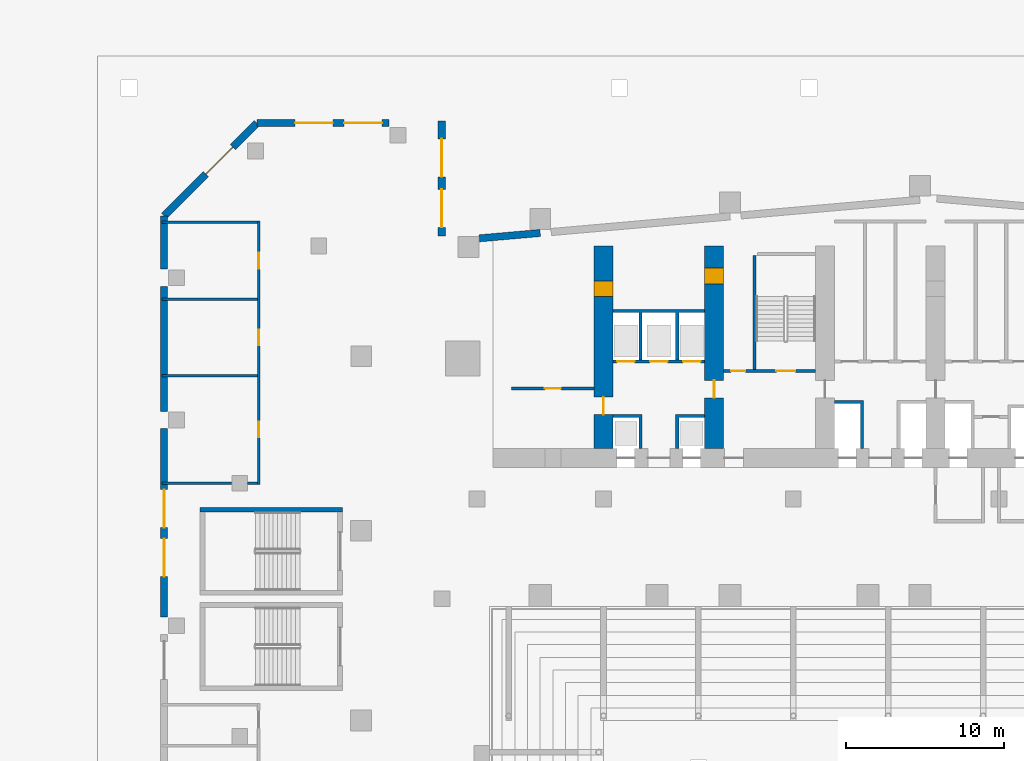
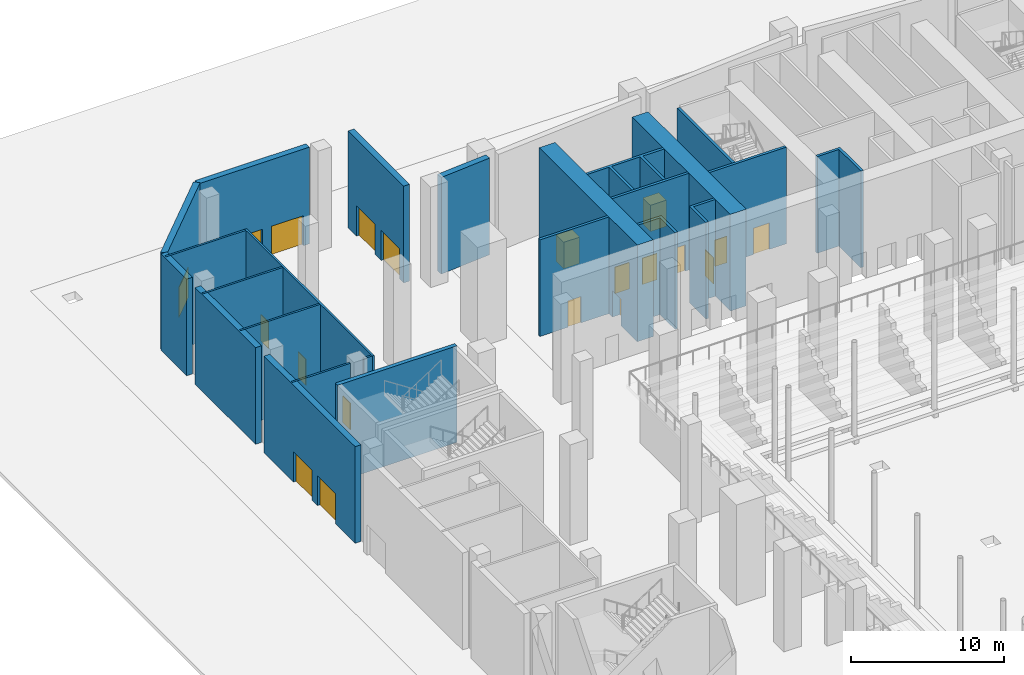
# One storey, part 24 of 41: 24 walls, 20 doors, 20 openings.
"""IFC4 building model written with IfcOpenShell, lengths in metres."""

from ifc_helpers import new_model, si_unit, direction, frame, frame_2d, origin, place, context, subcontext, project, spatial, polyline, rectangle, outline, extrude, material, layer, layer_set, type_object, element, fill, save


model = new_model("IFC4")

# Units and contexts
model_context = context("Model", 3, precision=1e-05, world=origin(), true_north=direction((0.0, 1.0)))
body_context = subcontext(model_context, "Body", "Model", "MODEL_VIEW")
ifc_project = project(units=[si_unit("LENGTHUNIT", "METRE"), si_unit("AREAUNIT", "SQUARE_METRE"), si_unit("VOLUMEUNIT", "CUBIC_METRE"), si_unit("PLANEANGLEUNIT", "RADIAN"), si_unit("MASSUNIT", "GRAM", prefix="KILO")], contexts=[model_context])

# Site, building, storey
site_placement = place(None, origin())
site = spatial("IfcSite", under=ifc_project, at=site_placement, CompositionType="ELEMENT")
building_placement = place(site_placement, origin())
building = spatial("IfcBuilding", under=site, at=building_placement, Name="Wharfspan Tower", CompositionType="ELEMENT")
storey_placement = place(building_placement, origin())
storey = spatial("IfcBuildingStorey", under=building, at=storey_placement, Name="L00", CompositionType="ELEMENT", Elevation=0.0)

# Wall, opening, door
ifc_material_1 = material(Name="Calcium silicate masonry", Category="masonry")
ifc_layer_1 = layer(ifc_material_1, 0.199951)
ifc_layer_set_1 = layer_set([ifc_layer_1], Name="Calcium silicate masonry")
wall_type_1 = type_object("IfcWallType", Name="Core room wall 200", PredefinedType="PARTITIONING", material=ifc_layer_set_1)
wall_1_placement = place(storey_placement, frame((10.199951, 39.0, 0.0), z_axis=(0.0, 0.0, 1.0), x_axis=(1.0, 0.0, 0.0)))
wall_1 = element("IfcWall", 1, at=wall_1_placement, inside=storey, type_object=wall_type_1, Name="sw:L00:RM0", PredefinedType="PARTITIONING", context=body_context, shape_type="SweptSolid", body=[
    extrude(rectangle(XDim=5.199951, YDim=0.199951, at=frame_2d((2.600098, 0.0))), origin(), (0.0, 0.0, 1.0), 7.699951),
])
opening_1_placement = place(wall_1_placement, frame((2.100098, 0.0, 0.0)))
opening_1 = element("IfcOpeningElement", 2, at=opening_1_placement, cuts=wall_1, Name="Opening CD00.02", PredefinedType="OPENING", context=body_context, shape_type="SweptSolid", body=[
    extrude(rectangle(XDim=1.0, YDim=2.100098, at=frame_2d((0.5, 1.050049))), frame((0.0, 0.109863, 0.0), z_axis=(0.0, -1.0, 0.0), x_axis=(1.0, 0.0, 0.0)), (0.0, 0.0, 1.0), 0.219971),
])
ifc_material_2 = material(Name="Steel door leaf", Category="steel")
door_type_1 = type_object("IfcDoorType", Name="Core room door 1000x2100", OperationType="SINGLE_SWING_LEFT", PredefinedType="DOOR", material=ifc_material_2)
door_1_placement = place(opening_1_placement, origin())
door_1 = element("IfcDoor", 3, at=door_1_placement, inside=storey, type_object=door_type_1, Name="d:L00:0:rr", OperationType="SINGLE_SWING_RIGHT", OverallHeight=2.100098, OverallWidth=1.0, PredefinedType="DOOR", context=body_context, shape_type="SweptSolid", body=[
    extrude(rectangle(XDim=1.0, YDim=2.100098, at=frame_2d((0.5, 1.050049))), frame((0.0, 0.024902, 0.0), z_axis=(0.0, -1.0, 0.0), x_axis=(1.0, 0.0, 0.0)), (0.0, 0.0, 1.0), 0.050049),
])
fill(opening_1, door_1)

# Wall, openings, doors
ifc_material_3 = material(Name="Concrete C70/85", Category="concrete")
ifc_layer_2 = layer(ifc_material_3, 1.199951)
ifc_layer_set_2 = layer_set([ifc_layer_2], Name="Concrete C70/85")
wall_type_2 = type_object("IfcWallType", Name="Core wall fallback 1.2", PredefinedType="SHEAR", material=ifc_layer_set_2)
wall_2_placement = place(storey_placement, frame((16.0, 35.199951, 0.0), z_axis=(0.0, 0.0, 1.0), x_axis=(0.0, 1.0, 0.0)))
wall_2 = element("IfcWall", 4, at=wall_2_placement, inside=storey, type_object=wall_type_2, Name="cw:L00:X1", PredefinedType="SHEAR", context=body_context, shape_type="SweptSolid", body=[
    extrude(rectangle(XDim=12.800049, YDim=1.199951, at=frame_2d((6.399902, 0.0))), origin(), (0.0, 0.0, 1.0), 7.699951),
])
opening_2_placement = place(wall_2_placement, frame((2.149902, 0.0, 0.0)))
opening_2 = element("IfcOpeningElement", 5, at=opening_2_placement, cuts=wall_2, Name="Opening CC00.1", PredefinedType="OPENING", context=body_context, shape_type="SweptSolid", body=[
    extrude(rectangle(XDim=1.100098, YDim=2.100098, at=frame_2d((0.550049, 1.050049))), frame((0.0, 0.609863, 0.0), z_axis=(0.0, -1.0, 0.0), x_axis=(1.0, 0.0, 0.0)), (0.0, 0.0, 1.0), 1.219971),
])
opening_3_placement = place(wall_2_placement, frame((9.600098, 0.0, 0.0)))
opening_3 = element("IfcOpeningElement", 6, at=opening_3_placement, cuts=wall_2, Name="Opening CR00.1", PredefinedType="OPENING", context=body_context, shape_type="SweptSolid", body=[
    extrude(rectangle(XDim=1.0, YDim=2.100098, at=frame_2d((0.5, 1.050049))), frame((0.0, 0.609863, 0.0), z_axis=(0.0, -1.0, 0.0), x_axis=(1.0, 0.0, 0.0)), (0.0, 0.0, 1.0), 1.219971),
])
door_type_2 = type_object("IfcDoorType", Name="Core corridor door 1100x2100", OperationType="SINGLE_SWING_LEFT", PredefinedType="DOOR", material=ifc_material_2)
door_2_placement = place(opening_2_placement, origin())
door_2 = element("IfcDoor", 7, at=door_2_placement, inside=storey, type_object=door_type_2, Name="xd:L00:1", OperationType="SINGLE_SWING_LEFT", OverallHeight=2.100098, OverallWidth=1.100098, PredefinedType="DOOR", context=body_context, shape_type="SweptSolid", body=[
    extrude(rectangle(XDim=1.100098, YDim=2.100098, at=frame_2d((0.550049, 1.050049))), frame((0.0, 0.024902, 0.0), z_axis=(0.0, -1.0, 0.0), x_axis=(1.0, 0.0, 0.0)), (0.0, 0.0, 1.0), 0.050049),
])
fill(opening_2, door_2)
door_3_placement = place(opening_3_placement, origin())
door_3 = element("IfcDoor", 8, at=door_3_placement, inside=storey, type_object=door_type_1, Name="xr:L00:1", OperationType="SINGLE_SWING_RIGHT", OverallHeight=2.100098, OverallWidth=1.0, PredefinedType="DOOR", context=body_context, shape_type="SweptSolid", body=[
    extrude(rectangle(XDim=1.0, YDim=2.100098, at=frame_2d((0.5, 1.050049))), frame((0.0, 0.599609, 0.0), z_axis=(0.0, -1.0, 0.0), x_axis=(1.0, 0.0, 0.0)), (0.0, 0.0, 1.0), 1.199463),
])
fill(opening_3, door_3)

wall_3_placement = place(storey_placement, frame((23.0, 35.199951, 0.0), z_axis=(0.0, 0.0, 1.0), x_axis=(0.0, 1.0, 0.0)))
wall_3 = element("IfcWall", 9, at=wall_3_placement, inside=storey, type_object=wall_type_2, Name="cw:L00:X2", PredefinedType="SHEAR", context=body_context, shape_type="SweptSolid", body=[
    extrude(rectangle(XDim=12.800049, YDim=1.199951, at=frame_2d((6.399902, 0.0))), origin(), (0.0, 0.0, 1.0), 7.699951),
])
opening_4_placement = place(wall_3_placement, frame((10.413818, 0.0, 0.0)))
opening_4 = element("IfcOpeningElement", 10, at=opening_4_placement, cuts=wall_3, Name="Opening CD00.1X", PredefinedType="OPENING", context=body_context, shape_type="SweptSolid", body=[
    extrude(rectangle(XDim=1.0, YDim=2.100098, at=frame_2d((0.5, 1.050049))), frame((0.0, 0.609863, 0.0), z_axis=(0.0, -1.0, 0.0), x_axis=(1.0, 0.0, 0.0)), (0.0, 0.0, 1.0), 1.219971),
])
opening_5_placement = place(wall_3_placement, frame((3.199951, 0.0, 0.0)))
opening_5 = element("IfcOpeningElement", 11, at=opening_5_placement, cuts=wall_3, Name="Opening CC00.2", PredefinedType="OPENING", context=body_context, shape_type="SweptSolid", body=[
    extrude(rectangle(XDim=1.100098, YDim=2.100098, at=frame_2d((0.550049, 1.050049))), frame((0.0, 0.609863, 0.0), z_axis=(0.0, -1.0, 0.0), x_axis=(1.0, 0.0, 0.0)), (0.0, 0.0, 1.0), 1.219971),
])
door_4_placement = place(opening_5_placement, origin())
door_4 = element("IfcDoor", 12, at=door_4_placement, inside=storey, type_object=door_type_2, Name="xd:L00:2", OperationType="SINGLE_SWING_RIGHT", OverallHeight=2.100098, OverallWidth=1.100098, PredefinedType="DOOR", context=body_context, shape_type="SweptSolid", body=[
    extrude(rectangle(XDim=1.100098, YDim=2.100098, at=frame_2d((0.550049, 1.050049))), frame((0.0, 0.024902, 0.0), z_axis=(0.0, -1.0, 0.0), x_axis=(1.0, 0.0, 0.0)), (0.0, 0.0, 1.0), 0.050049),
])
fill(opening_5, door_4)
door_5_placement = place(opening_4_placement, origin())
door_5 = element("IfcDoor", 13, at=door_5_placement, inside=storey, type_object=door_type_1, Name="d:L00:1:sx", OperationType="SINGLE_SWING_LEFT", OverallHeight=2.100098, OverallWidth=1.0, PredefinedType="DOOR", context=body_context, shape_type="SweptSolid", body=[
    extrude(rectangle(XDim=1.0, YDim=2.100098, at=frame_2d((0.5, 1.050049))), frame((0.0, 0.599609, 0.0), z_axis=(0.0, -1.0, 0.0), x_axis=(1.0, 0.0, 0.0)), (0.0, 0.0, 1.0), 1.199463),
])
fill(opening_4, door_5)

ifc_material_4 = material(Name="Concrete C30/37", Category="concrete")
ifc_layer_3 = layer(ifc_material_4, 0.199951)
ifc_layer_set_3 = layer_set([ifc_layer_3], Name="Concrete C30/37")
wall_type_3 = type_object("IfcWallType", Name="Lift shaft wall 200", PredefinedType="PARTITIONING", material=ifc_layer_set_3)
wall_4_placement = place(storey_placement, frame((16.600098, 40.699951, 0.0), z_axis=(0.0, 0.0, 1.0), x_axis=(1.0, 0.0, 0.0)))
wall_4 = element("IfcWall", 14, at=wall_4_placement, inside=storey, type_object=wall_type_3, Name="sw:L00:RF1", PredefinedType="PARTITIONING", context=body_context, shape_type="SweptSolid", body=[
    extrude(rectangle(XDim=5.799805, YDim=0.199951, at=frame_2d((2.899902, 0.0))), origin(), (0.0, 0.0, 1.0), 7.699951),
])
opening_6_placement = place(wall_4_placement, frame((0.266602, 0.0, 0.0)))
opening_6 = element("IfcOpeningElement", 15, at=opening_6_placement, cuts=wall_4, Name="Opening LD.LA3.L00", PredefinedType="OPENING", context=body_context, shape_type="SweptSolid", body=[
    extrude(rectangle(XDim=1.100098, YDim=2.100098, at=frame_2d((0.550049, 1.050049))), frame((0.0, 0.109863, 0.0), z_axis=(0.0, -1.0, 0.0), x_axis=(1.0, 0.0, 0.0)), (0.0, 0.0, 1.0), 0.219971),
])
opening_7_placement = place(wall_4_placement, frame((2.350098, 0.0, 0.0)))
opening_7 = element("IfcOpeningElement", 16, at=opening_7_placement, cuts=wall_4, Name="Opening LD.LA4.L00", PredefinedType="OPENING", context=body_context, shape_type="SweptSolid", body=[
    extrude(rectangle(XDim=1.100098, YDim=2.100098, at=frame_2d((0.550049, 1.050049))), frame((0.0, 0.109863, 0.0), z_axis=(0.0, -1.0, 0.0), x_axis=(1.0, 0.0, 0.0)), (0.0, 0.0, 1.0), 0.219971),
])
opening_8_placement = place(wall_4_placement, frame((4.43335, 0.0, 0.0)))
opening_8 = element("IfcOpeningElement", 17, at=opening_8_placement, cuts=wall_4, Name="Opening LD.LA5.L00", PredefinedType="OPENING", context=body_context, shape_type="SweptSolid", body=[
    extrude(rectangle(XDim=1.100098, YDim=2.100098, at=frame_2d((0.550049, 1.050049))), frame((0.0, 0.109863, 0.0), z_axis=(0.0, -1.0, 0.0), x_axis=(1.0, 0.0, 0.0)), (0.0, 0.0, 1.0), 0.219971),
])
ifc_material_5 = material(Name="Stainless steel", Category="steel")
door_type_3 = type_object("IfcDoorType", Name="Lift landing door 1100x2100", OperationType="DOUBLE_DOOR_SLIDING", PredefinedType="DOOR", material=ifc_material_5)
door_6_placement = place(opening_6_placement, origin())
door_6 = element("IfcDoor", 18, at=door_6_placement, inside=storey, type_object=door_type_3, Name="Landing door LA3 L00", OperationType="DOUBLE_DOOR_SLIDING", OverallHeight=2.100098, OverallWidth=1.100098, PredefinedType="DOOR", context=body_context, shape_type="SweptSolid", body=[
    extrude(rectangle(XDim=1.100098, YDim=2.100098, at=frame_2d((0.550049, 1.050049))), frame((0.0, 0.024902, 0.0), z_axis=(0.0, -1.0, 0.0), x_axis=(1.0, 0.0, 0.0)), (0.0, 0.0, 1.0), 0.050049),
])
fill(opening_6, door_6)
door_7_placement = place(opening_7_placement, origin())
door_7 = element("IfcDoor", 19, at=door_7_placement, inside=storey, type_object=door_type_3, Name="Landing door LA4 L00", OperationType="DOUBLE_DOOR_SLIDING", OverallHeight=2.100098, OverallWidth=1.100098, PredefinedType="DOOR", context=body_context, shape_type="SweptSolid", body=[
    extrude(rectangle(XDim=1.100098, YDim=2.100098, at=frame_2d((0.550049, 1.050049))), frame((0.0, 0.024902, 0.0), z_axis=(0.0, -1.0, 0.0), x_axis=(1.0, 0.0, 0.0)), (0.0, 0.0, 1.0), 0.050049),
])
fill(opening_7, door_7)
door_8_placement = place(opening_8_placement, origin())
door_8 = element("IfcDoor", 20, at=door_8_placement, inside=storey, type_object=door_type_3, Name="Landing door LA5 L00", OperationType="DOUBLE_DOOR_SLIDING", OverallHeight=2.100098, OverallWidth=1.100098, PredefinedType="DOOR", context=body_context, shape_type="SweptSolid", body=[
    extrude(rectangle(XDim=1.100098, YDim=2.100098, at=frame_2d((0.550049, 1.050049))), frame((0.0, 0.024902, 0.0), z_axis=(0.0, -1.0, 0.0), x_axis=(1.0, 0.0, 0.0)), (0.0, 0.0, 1.0), 0.050049),
])
fill(opening_8, door_8)

# Walls
wall_5_placement = place(storey_placement, frame((0.0, 0.0, -0.000244)))
element("IfcWall", 21, at=wall_5_placement, inside=storey, type_object=wall_type_3, Name="sw:L00:FM1.0", PredefinedType="PARTITIONING", context=body_context, shape_type="SweptSolid", body=[
    extrude(outline(polyline([(18.233398, 37.149902), (16.600098, 37.149902), (16.600098, 37.350098), (18.233398, 37.350098), (18.43335, 37.350098), (18.43335, 35.199951), (18.233398, 35.199951), (18.233398, 37.149902)])), origin(), (0.0, 0.0, 1.0), 7.700195),
])
wall_6_placement = place(storey_placement, frame((0.0, 0.0, -0.000244)))
element("IfcWall", 22, at=wall_6_placement, inside=storey, type_object=wall_type_3, Name="sw:L00:FM1.1", PredefinedType="PARTITIONING", context=body_context, shape_type="SweptSolid", body=[
    extrude(outline(polyline([(20.56665, 37.350098), (20.766602, 37.350098), (22.399902, 37.350098), (22.399902, 37.149902), (20.766602, 37.149902), (20.766602, 35.199951), (20.56665, 35.199951), (20.56665, 37.350098)])), origin(), (0.0, 0.0, 1.0), 7.700195),
])
wall_7_placement = place(storey_placement, frame((0.0, 0.0, -0.000244)))
element("IfcWall", 23, at=wall_7_placement, inside=storey, type_object=wall_type_3, Name="sw:L00:RM1.0", PredefinedType="PARTITIONING", context=body_context, shape_type="SweptSolid", body=[
    extrude(outline(polyline([(18.43335, 40.800049), (18.233398, 40.800049), (18.233398, 43.800049), (16.600098, 43.800049), (16.600098, 44.0), (22.399902, 44.0), (22.399902, 43.800049), (20.766602, 43.800049), (20.766602, 40.800049), (20.56665, 40.800049), (20.56665, 43.800049), (18.43335, 43.800049), (18.43335, 40.800049)])), origin(), (0.0, 0.0, 1.0), 7.700195),
])
wall_8_placement = place(storey_placement, frame((0.0, 0.0, -0.000244)))
element("IfcWall", 24, at=wall_8_placement, inside=storey, type_object=wall_type_3, Name="sw:L00:FM3.0", PredefinedType="PARTITIONING", context=body_context, shape_type="SweptSolid", body=[
    extrude(outline(polyline([(32.233398, 38.050049), (30.600098, 38.050049), (30.600098, 38.25), (32.233398, 38.25), (32.43335, 38.25), (32.43335, 35.199951), (32.233398, 35.199951), (32.233398, 38.050049)])), origin(), (0.0, 0.0, 1.0), 7.700195),
])

# Wall, openings, doors
ifc_layer_4 = layer(ifc_material_1, 0.149902)
ifc_layer_set_4 = layer_set([ifc_layer_4], Name="Calcium silicate masonry")
wall_type_4 = type_object("IfcWallType", Name="Podium room wall 150", PredefinedType="PARTITIONING", material=ifc_layer_set_4)
wall_9_placement = place(storey_placement, frame((-5.800049, 32.925049, 0.0), z_axis=(0.0, 0.0, 1.0), x_axis=(0.0, 1.0, 0.0)))
wall_9 = element("IfcWall", 25, at=wall_9_placement, inside=storey, type_object=wall_type_4, Name="iw:L00:3", PredefinedType="PARTITIONING", context=body_context, shape_type="SweptSolid", body=[
    extrude(rectangle(XDim=16.649902, YDim=0.149902, at=frame_2d((8.324951, 0.0))), origin(), (0.0, 0.0, 1.0), 7.699951),
])
opening_9_placement = place(wall_9_placement, frame((2.972168, 0.0, 0.0)))
opening_9 = element("IfcOpeningElement", 26, at=opening_9_placement, cuts=wall_9, Name="Opening PD00.9", PredefinedType="OPENING", context=body_context, shape_type="SweptSolid", body=[
    extrude(rectangle(XDim=1.0, YDim=2.100098, at=frame_2d((0.5, 1.050049))), frame((0.0, 0.084961, 0.0), z_axis=(0.0, -1.0, 0.0), x_axis=(1.0, 0.0, 0.0)), (0.0, 0.0, 1.0), 0.169922),
])
opening_10_placement = place(wall_9_placement, frame((8.795654, 0.0, 0.0)))
opening_10 = element("IfcOpeningElement", 27, at=opening_10_placement, cuts=wall_9, Name="Opening PD00.10", PredefinedType="OPENING", context=body_context, shape_type="SweptSolid", body=[
    extrude(rectangle(XDim=1.0, YDim=2.100098, at=frame_2d((0.5, 1.050049))), frame((0.0, 0.084961, 0.0), z_axis=(0.0, -1.0, 0.0), x_axis=(1.0, 0.0, 0.0)), (0.0, 0.0, 1.0), 0.169922),
])
opening_11_placement = place(wall_9_placement, frame((13.648438, 0.0, 0.0)))
opening_11 = element("IfcOpeningElement", 28, at=opening_11_placement, cuts=wall_9, Name="Opening PD00.11", PredefinedType="OPENING", context=body_context, shape_type="SweptSolid", body=[
    extrude(rectangle(XDim=1.0, YDim=2.100098, at=frame_2d((0.5, 1.050049))), frame((0.0, 0.084961, 0.0), z_axis=(0.0, -1.0, 0.0), x_axis=(1.0, 0.0, 0.0)), (0.0, 0.0, 1.0), 0.169922),
])
door_type_4 = type_object("IfcDoorType", Name="Podium room door 1000x2100", OperationType="SINGLE_SWING_LEFT", PredefinedType="DOOR", material=ifc_material_2)
door_9_placement = place(opening_9_placement, origin())
door_9 = element("IfcDoor", 29, at=door_9_placement, inside=storey, type_object=door_type_4, Name="id:L00:9", OperationType="SINGLE_SWING_RIGHT", OverallHeight=2.100098, OverallWidth=1.0, PredefinedType="DOOR", context=body_context, shape_type="SweptSolid", body=[
    extrude(rectangle(XDim=1.0, YDim=2.100098, at=frame_2d((0.5, 1.050049))), frame((0.0, 0.024902, 0.0), z_axis=(0.0, -1.0, 0.0), x_axis=(1.0, 0.0, 0.0)), (0.0, 0.0, 1.0), 0.050049),
])
fill(opening_9, door_9)
door_10_placement = place(opening_10_placement, origin())
door_10 = element("IfcDoor", 30, at=door_10_placement, inside=storey, type_object=door_type_4, Name="id:L00:10", OperationType="SINGLE_SWING_LEFT", OverallHeight=2.100098, OverallWidth=1.0, PredefinedType="DOOR", context=body_context, shape_type="SweptSolid", body=[
    extrude(rectangle(XDim=1.0, YDim=2.100098, at=frame_2d((0.5, 1.050049))), frame((0.0, 0.024902, 0.0), z_axis=(0.0, -1.0, 0.0), x_axis=(1.0, 0.0, 0.0)), (0.0, 0.0, 1.0), 0.050049),
])
fill(opening_10, door_10)
door_11_placement = place(opening_11_placement, origin())
door_11 = element("IfcDoor", 31, at=door_11_placement, inside=storey, type_object=door_type_4, Name="id:L00:11", OperationType="SINGLE_SWING_RIGHT", OverallHeight=2.100098, OverallWidth=1.0, PredefinedType="DOOR", context=body_context, shape_type="SweptSolid", body=[
    extrude(rectangle(XDim=1.0, YDim=2.100098, at=frame_2d((0.5, 1.050049))), frame((0.0, 0.024902, 0.0), z_axis=(0.0, -1.0, 0.0), x_axis=(1.0, 0.0, 0.0)), (0.0, 0.0, 1.0), 0.050049),
])
fill(opening_11, door_11)

# Walls
wall_10_placement = place(storey_placement, frame((-11.89502, 33.0, 0.0), z_axis=(0.0, 0.0, 1.0), x_axis=(1.0, 0.0, 0.0)))
element("IfcWall", 32, at=wall_10_placement, inside=storey, type_object=wall_type_4, Name="iw:L00:16", PredefinedType="PARTITIONING", context=body_context, shape_type="SweptSolid", body=[
    extrude(rectangle(XDim=4.38501, YDim=0.149902, at=frame_2d((2.192383, 0.0))), origin(), (0.0, 0.0, 1.0), 7.699951),
])
wall_11_placement = place(storey_placement, frame((-6.48999, 33.0, 0.0), z_axis=(0.0, 0.0, 1.0), x_axis=(1.0, 0.0, 0.0)))
element("IfcWall", 33, at=wall_11_placement, inside=storey, type_object=wall_type_4, Name="iw:L00:17", PredefinedType="PARTITIONING", context=body_context, shape_type="SweptSolid", body=[
    extrude(rectangle(XDim=0.61499, YDim=0.149902, at=frame_2d((0.307617, 0.0))), origin(), (0.0, 0.0, 1.0), 7.699951),
])
for number, where, z_axis, x_axis, name in (
    (34, (-11.89502, 39.793945, 0.0), (0.0, 0.0, 1.0), (1.0, 0.0, 0.0), "iw:L00:18"),
    (35, (-11.89502, 44.646973, 0.0), (0.0, 0.0, 1.0), (1.0, 0.0, 0.0), "iw:L00:19"),
    (36, (-11.89502, 49.5, 0.0), (0.0, 0.0, 1.0), (1.0, 0.0, 0.0), "iw:L00:20"),
):
    element("IfcWall", number, at=place(storey_placement, frame(where, z_axis=z_axis, x_axis=x_axis)), inside=storey, type_object=wall_type_4, Name=name, PredefinedType="PARTITIONING", context=body_context, shape_type="SweptSolid", body=[
        extrude(rectangle(XDim=6.02002, YDim=0.149902, at=frame_2d((3.01001, 0.0))), origin(), (0.0, 0.0, 1.0), 7.699951),
    ])
ifc_material_6 = material(Name="Concrete C40/50", Category="concrete")
ifc_layer_5 = layer(ifc_material_6, 0.300049)
ifc_layer_set_5 = layer_set([ifc_layer_5], Name="Concrete C40/50")
wall_type_5 = type_object("IfcWallType", Name="Podium stair core wall 300", PredefinedType="SHEAR", material=ifc_layer_set_5)
wall_12_placement = place(storey_placement, frame((-9.5, 31.324951, 0.0), z_axis=(0.0, 0.0, 1.0), x_axis=(1.0, 0.0, 0.0)))
element("IfcWall", 37, at=wall_12_placement, inside=storey, type_object=wall_type_5, Name="iw:L00:PS3N", PredefinedType="SHEAR", context=body_context, shape_type="SweptSolid", body=[
    extrude(rectangle(XDim=9.0, YDim=0.300049, at=frame_2d((4.5, 0.0))), origin(), (0.0, 0.0, 1.0), 7.699951),
])

# Wall, openings, doors
ifc_layer_6 = layer(ifc_material_6, 0.199951)
ifc_layer_set_6 = layer_set([ifc_layer_6], Name="Concrete C40/50")
wall_type_6 = type_object("IfcWallType", Name="Stair shaft wall 200", PredefinedType="SHEAR", material=ifc_layer_set_6)
wall_13_placement = place(storey_placement, frame((23.600098, 40.100098, 0.0), z_axis=(0.0, 0.0, 1.0), x_axis=(1.0, 0.0, 0.0)))
wall_13 = element("IfcWall", 38, at=wall_13_placement, inside=storey, type_object=wall_type_6, Name="ST1 stair enclosure wall L00", PredefinedType="SHEAR", context=body_context, shape_type="SweptSolid", body=[
    extrude(rectangle(XDim=5.799805, YDim=0.199951, at=frame_2d((2.899902, 0.0))), origin(), (0.0, 0.0, 1.0), 7.699951),
])
opening_12_placement = place(wall_13_placement, frame((3.324951, 0.0, 0.0)))
opening_12 = element("IfcOpeningElement", 39, at=opening_12_placement, cuts=wall_13, Name="Opening SD2.L00", PredefinedType="OPENING", context=body_context, shape_type="SweptSolid", body=[
    extrude(rectangle(XDim=1.199951, YDim=2.100098, at=frame_2d((0.600098, 1.050049))), frame((0.0, 0.109863, 0.0), z_axis=(0.0, -1.0, 0.0), x_axis=(1.0, 0.0, 0.0)), (0.0, 0.0, 1.0), 0.219971),
])
opening_13_placement = place(wall_13_placement, frame((0.475098, 0.0, 0.0)))
opening_13 = element("IfcOpeningElement", 40, at=opening_13_placement, cuts=wall_13, Name="Opening CD00.2R", PredefinedType="OPENING", context=body_context, shape_type="SweptSolid", body=[
    extrude(rectangle(XDim=0.899902, YDim=2.100098, at=frame_2d((0.449951, 1.050049))), frame((0.0, 0.109863, 0.0), z_axis=(0.0, -1.0, 0.0), x_axis=(1.0, 0.0, 0.0)), (0.0, 0.0, 1.0), 0.219971),
])
door_12_placement = place(opening_13_placement, origin())
door_12 = element("IfcDoor", 41, at=door_12_placement, inside=storey, type_object=door_type_1, Name="rk:L00:2", OperationType="SINGLE_SWING_LEFT", OverallHeight=2.100098, OverallWidth=0.899902, PredefinedType="DOOR", context=body_context, shape_type="SweptSolid", body=[
    extrude(rectangle(XDim=0.899902, YDim=2.100098, at=frame_2d((0.449951, 1.050049))), frame((0.0, 0.024902, 0.0), z_axis=(0.0, -1.0, 0.0), x_axis=(1.0, 0.0, 0.0)), (0.0, 0.0, 1.0), 0.050049),
])
fill(opening_13, door_12)
door_type_5 = type_object("IfcDoorType", Name="Stair door 1200x2100", OperationType="SINGLE_SWING_LEFT", PredefinedType="DOOR", material=ifc_material_2)
door_13_placement = place(opening_12_placement, origin())
door_13 = element("IfcDoor", 42, at=door_13_placement, inside=storey, type_object=door_type_5, Name="sd:L00:2", OperationType="SINGLE_SWING_RIGHT", OverallHeight=2.100098, OverallWidth=1.199951, PredefinedType="DOOR", context=body_context, shape_type="SweptSolid", body=[
    extrude(rectangle(XDim=1.199951, YDim=2.100098, at=frame_2d((0.600098, 1.050049))), frame((0.0, 0.024902, 0.0), z_axis=(0.0, -1.0, 0.0), x_axis=(1.0, 0.0, 0.0)), (0.0, 0.0, 1.0), 0.050049),
])
fill(opening_12, door_13)

# Walls
wall_14_placement = place(storey_placement, frame((25.550049, 40.199951, 0.0), z_axis=(0.0, 0.0, 1.0), x_axis=(0.0, 1.0, 0.0)))
element("IfcWall", 43, at=wall_14_placement, inside=storey, type_object=wall_type_6, Name="ST1 stair enclosure wall L00", PredefinedType="SHEAR", context=body_context, shape_type="SweptSolid", body=[
    extrude(rectangle(XDim=7.199951, YDim=0.199951, at=frame_2d((3.600098, 0.0))), origin(), (0.0, 0.0, 1.0), 7.699951),
])
ifc_layer_7 = layer(ifc_material_6, 0.449951)
ifc_layer_set_7 = layer_set([ifc_layer_7], Name="Concrete C40/50")
wall_type_7 = type_object("IfcWallType", Name="WALL BOARD-MARKED CONCRETE 450", PredefinedType="SOLIDWALL", material=ifc_layer_set_7)
wall_15_placement = place(storey_placement, frame((11.999756, 48.823975, 0.0), z_axis=(0.0, 0.0, 1.0), x_axis=(-0.9962, -0.087124, 0.0)))
element("IfcWall", 44, at=wall_15_placement, inside=storey, type_object=wall_type_7, Name="Podium wall PF8", PredefinedType="SOLIDWALL", context=body_context, shape_type="SweptSolid", body=[
    extrude(rectangle(XDim=3.858643, YDim=0.449951, at=frame_2d((1.929199, 0.0))), origin(), (0.0, 0.0, 1.0), 7.699951),
])

# Wall, openings, doors
wall_16_placement = place(storey_placement, frame((5.774902, 48.625, 0.0), z_axis=(0.0, 0.0, 1.0), x_axis=(0.0, 1.0, 0.0)))
wall_16 = element("IfcWall", 45, at=wall_16_placement, inside=storey, type_object=wall_type_7, Name="Podium wall PF9", PredefinedType="SOLIDWALL", context=body_context, shape_type="SweptSolid", body=[
    extrude(rectangle(XDim=7.274902, YDim=0.449951, at=frame_2d((3.637451, 0.0))), origin(), (0.0, 0.0, 1.0), 7.699951),
])
opening_14_placement = place(wall_16_placement, frame((0.550049, 0.0, 0.0)))
opening_14 = element("IfcOpeningElement", 46, at=opening_14_placement, cuts=wall_16, Name="Opening ED4", PredefinedType="OPENING", context=body_context, shape_type="SweptSolid", body=[
    extrude(rectangle(XDim=2.399902, YDim=2.399902, at=frame_2d((1.199951, 1.199951))), frame((0.0, 0.234863, 0.0), z_axis=(0.0, -1.0, 0.0), x_axis=(1.0, 0.0, 0.0)), (0.0, 0.0, 1.0), 0.469971),
])
opening_15_placement = place(wall_16_placement, frame((3.75, 0.0, 0.0)))
opening_15 = element("IfcOpeningElement", 47, at=opening_15_placement, cuts=wall_16, Name="Opening ED4", PredefinedType="OPENING", context=body_context, shape_type="SweptSolid", body=[
    extrude(rectangle(XDim=2.399902, YDim=2.399902, at=frame_2d((1.199951, 1.199951))), frame((0.0, 0.234863, 0.0), z_axis=(0.0, -1.0, 0.0), x_axis=(1.0, 0.0, 0.0)), (0.0, 0.0, 1.0), 0.469971),
])
ifc_material_7 = material(Name="Steel S355J2", Category="steel")
door_type_6 = type_object("IfcDoorType", Name="EXIT DOOR DOUBLE 2400x2400", OperationType="DOUBLE_DOOR_DOUBLE_SWING", PredefinedType="DOOR", material=ifc_material_7)
door_14_placement = place(opening_14_placement, origin())
door_14 = element("IfcDoor", 48, at=door_14_placement, inside=storey, type_object=door_type_6, Name="Exit door", OperationType="DOUBLE_DOOR_DOUBLE_SWING", OverallHeight=2.399902, OverallWidth=2.399902, PredefinedType="DOOR", context=body_context, shape_type="SweptSolid", body=[
    extrude(rectangle(XDim=2.399902, YDim=2.399902, at=frame_2d((1.199951, 1.199951))), frame((0.0, 0.024902, 0.0), z_axis=(0.0, -1.0, 0.0), x_axis=(1.0, 0.0, 0.0)), (0.0, 0.0, 1.0), 0.050049),
])
fill(opening_14, door_14)
door_15_placement = place(opening_15_placement, origin())
door_15 = element("IfcDoor", 49, at=door_15_placement, inside=storey, type_object=door_type_6, Name="Exit door", OperationType="DOUBLE_DOOR_DOUBLE_SWING", OverallHeight=2.399902, OverallWidth=2.399902, PredefinedType="DOOR", context=body_context, shape_type="SweptSolid", body=[
    extrude(rectangle(XDim=2.399902, YDim=2.399902, at=frame_2d((1.199951, 1.199951))), frame((0.0, 0.024902, 0.0), z_axis=(0.0, -1.0, 0.0), x_axis=(1.0, 0.0, 0.0)), (0.0, 0.0, 1.0), 0.050049),
])
fill(opening_15, door_15)

wall_17_placement = place(storey_placement, frame((2.449951, 55.774902, 0.0), z_axis=(0.0, 0.0, 1.0), x_axis=(-1.0, 0.0, 0.0)))
wall_17 = element("IfcWall", 50, at=wall_17_placement, inside=storey, type_object=wall_type_7, Name="Podium wall PF10", PredefinedType="SOLIDWALL", context=body_context, shape_type="SweptSolid", body=[
    extrude(rectangle(XDim=8.349854, YDim=0.449951, at=frame_2d((4.174805, 0.0))), origin(), (0.0, 0.0, 1.0), 7.699951),
])
opening_16_placement = place(wall_17_placement, frame((0.449951, 0.0, 0.0)))
opening_16 = element("IfcOpeningElement", 51, at=opening_16_placement, cuts=wall_17, Name="Opening ED4", PredefinedType="OPENING", context=body_context, shape_type="SweptSolid", body=[
    extrude(rectangle(XDim=2.399902, YDim=2.399902, at=frame_2d((1.199951, 1.199951))), frame((0.0, 0.234863, 0.0), z_axis=(0.0, -1.0, 0.0), x_axis=(1.0, 0.0, 0.0)), (0.0, 0.0, 1.0), 0.469971),
])
opening_17_placement = place(wall_17_placement, frame((3.550049, 0.0, 0.0)))
opening_17 = element("IfcOpeningElement", 52, at=opening_17_placement, cuts=wall_17, Name="Opening ED4", PredefinedType="OPENING", context=body_context, shape_type="SweptSolid", body=[
    extrude(rectangle(XDim=2.399902, YDim=2.399902, at=frame_2d((1.199951, 1.199951))), frame((0.0, 0.234863, 0.0), z_axis=(0.0, -1.0, 0.0), x_axis=(1.0, 0.0, 0.0)), (0.0, 0.0, 1.0), 0.469971),
])
door_16_placement = place(opening_16_placement, origin())
door_16 = element("IfcDoor", 53, at=door_16_placement, inside=storey, type_object=door_type_6, Name="Exit door", OperationType="DOUBLE_DOOR_DOUBLE_SWING", OverallHeight=2.399902, OverallWidth=2.399902, PredefinedType="DOOR", context=body_context, shape_type="SweptSolid", body=[
    extrude(rectangle(XDim=2.399902, YDim=2.399902, at=frame_2d((1.199951, 1.199951))), frame((0.0, 0.024902, 0.0), z_axis=(0.0, -1.0, 0.0), x_axis=(1.0, 0.0, 0.0)), (0.0, 0.0, 1.0), 0.050049),
])
fill(opening_16, door_16)
door_17_placement = place(opening_17_placement, origin())
door_17 = element("IfcDoor", 54, at=door_17_placement, inside=storey, type_object=door_type_6, Name="Exit door", OperationType="DOUBLE_DOOR_DOUBLE_SWING", OverallHeight=2.399902, OverallWidth=2.399902, PredefinedType="DOOR", context=body_context, shape_type="SweptSolid", body=[
    extrude(rectangle(XDim=2.399902, YDim=2.399902, at=frame_2d((1.199951, 1.199951))), frame((0.0, 0.024902, 0.0), z_axis=(0.0, -1.0, 0.0), x_axis=(1.0, 0.0, 0.0)), (0.0, 0.0, 1.0), 0.050049),
])
fill(opening_17, door_17)

# Wall, opening, door
wall_18_placement = place(storey_placement, frame((-5.911621, 55.770264, 0.0), z_axis=(0.0, 0.0, 1.0), x_axis=(-0.707107, -0.707107, 0.0)))
wall_18 = element("IfcWall", 55, at=wall_18_placement, inside=storey, type_object=wall_type_7, Name="Podium wall PF11", PredefinedType="SOLIDWALL", context=body_context, shape_type="SweptSolid", body=[
    extrude(rectangle(XDim=8.2854, YDim=0.449951, at=frame_2d((4.142578, 0.0))), origin(), (0.0, 0.0, 1.0), 7.699951),
])
opening_18_placement = place(wall_18_placement, frame((2.149902, 0.0, 0.0)))
opening_18 = element("IfcOpeningElement", 56, at=opening_18_placement, cuts=wall_18, Name="Opening ED4", PredefinedType="OPENING", context=body_context, shape_type="SweptSolid", body=[
    extrude(rectangle(XDim=2.399902, YDim=2.399902, at=frame_2d((1.199951, 1.199951))), frame((0.0, 0.234863, 0.0), z_axis=(0.0, -1.0, 0.0), x_axis=(1.0, 0.0, 0.0)), (0.0, 0.0, 1.0), 0.469971),
])
door_18_placement = place(opening_18_placement, origin())
door_18 = element("IfcDoor", 57, at=door_18_placement, inside=storey, type_object=door_type_6, Name="Exit door", OperationType="DOUBLE_DOOR_DOUBLE_SWING", OverallHeight=2.399902, OverallWidth=2.399902, PredefinedType="DOOR", context=body_context, shape_type="SweptSolid", body=[
    extrude(rectangle(XDim=2.399902, YDim=2.399902, at=frame_2d((1.199951, 1.199951))), frame((0.0, 0.024902, 0.0), z_axis=(0.0, -1.0, 0.0), x_axis=(1.0, 0.0, 0.0)), (0.0, 0.0, 1.0), 0.050049),
])
fill(opening_18, door_18)

# Walls
wall_19_placement = place(storey_placement, frame((-11.774902, 49.899902, 0.0), z_axis=(0.0, 0.0, 1.0), x_axis=(0.0, -1.0, 0.0)))
element("IfcWall", 58, at=wall_19_placement, inside=storey, type_object=wall_type_7, Name="Podium wall PF12", PredefinedType="SOLIDWALL", context=body_context, shape_type="SweptSolid", body=[
    extrude(rectangle(XDim=3.349854, YDim=0.449951, at=frame_2d((1.674805, 0.0))), origin(), (0.0, 0.0, 1.0), 7.699951),
])
wall_20_placement = place(storey_placement, frame((-11.774902, 45.449951, 0.0), z_axis=(0.0, 0.0, 1.0), x_axis=(0.0, -1.0, 0.0)))
element("IfcWall", 59, at=wall_20_placement, inside=storey, type_object=wall_type_7, Name="Podium wall PF12", PredefinedType="SOLIDWALL", context=body_context, shape_type="SweptSolid", body=[
    extrude(rectangle(XDim=7.899902, YDim=0.449951, at=frame_2d((3.949951, 0.0))), origin(), (0.0, 0.0, 1.0), 7.699951),
])

# Wall, openings, doors
wall_21_placement = place(storey_placement, frame((-11.774902, 36.449951, 0.0), z_axis=(0.0, 0.0, 1.0), x_axis=(0.0, -1.0, 0.0)))
wall_21 = element("IfcWall", 60, at=wall_21_placement, inside=storey, type_object=wall_type_7, Name="Podium wall PF12", PredefinedType="SOLIDWALL", context=body_context, shape_type="SweptSolid", body=[
    extrude(rectangle(XDim=11.899902, YDim=0.449951, at=frame_2d((5.949951, 0.0))), origin(), (0.0, 0.0, 1.0), 7.699951),
])
opening_19_placement = place(wall_21_placement, frame((3.850098, 0.0, 0.0)))
opening_19 = element("IfcOpeningElement", 61, at=opening_19_placement, cuts=wall_21, Name="Opening ED4", PredefinedType="OPENING", context=body_context, shape_type="SweptSolid", body=[
    extrude(rectangle(XDim=2.399902, YDim=2.399902, at=frame_2d((1.199951, 1.199951))), frame((0.0, 0.234863, 0.0), z_axis=(0.0, -1.0, 0.0), x_axis=(1.0, 0.0, 0.0)), (0.0, 0.0, 1.0), 0.469971),
])
opening_20_placement = place(wall_21_placement, frame((6.949951, 0.0, 0.0)))
opening_20 = element("IfcOpeningElement", 62, at=opening_20_placement, cuts=wall_21, Name="Opening ED4", PredefinedType="OPENING", context=body_context, shape_type="SweptSolid", body=[
    extrude(rectangle(XDim=2.399902, YDim=2.399902, at=frame_2d((1.199951, 1.199951))), frame((0.0, 0.234863, 0.0), z_axis=(0.0, -1.0, 0.0), x_axis=(1.0, 0.0, 0.0)), (0.0, 0.0, 1.0), 0.469971),
])
door_19_placement = place(opening_19_placement, origin())
door_19 = element("IfcDoor", 63, at=door_19_placement, inside=storey, type_object=door_type_6, Name="Exit door", OperationType="DOUBLE_DOOR_DOUBLE_SWING", OverallHeight=2.399902, OverallWidth=2.399902, PredefinedType="DOOR", context=body_context, shape_type="SweptSolid", body=[
    extrude(rectangle(XDim=2.399902, YDim=2.399902, at=frame_2d((1.199951, 1.199951))), frame((0.0, 0.024902, 0.0), z_axis=(0.0, -1.0, 0.0), x_axis=(1.0, 0.0, 0.0)), (0.0, 0.0, 1.0), 0.050049),
])
fill(opening_19, door_19)
door_20_placement = place(opening_20_placement, origin())
door_20 = element("IfcDoor", 64, at=door_20_placement, inside=storey, type_object=door_type_6, Name="Exit door", OperationType="DOUBLE_DOOR_DOUBLE_SWING", OverallHeight=2.399902, OverallWidth=2.399902, PredefinedType="DOOR", context=body_context, shape_type="SweptSolid", body=[
    extrude(rectangle(XDim=2.399902, YDim=2.399902, at=frame_2d((1.199951, 1.199951))), frame((0.0, 0.024902, 0.0), z_axis=(0.0, -1.0, 0.0), x_axis=(1.0, 0.0, 0.0)), (0.0, 0.0, 1.0), 0.050049),
])
fill(opening_20, door_20)

save(model, "model.ifc")
